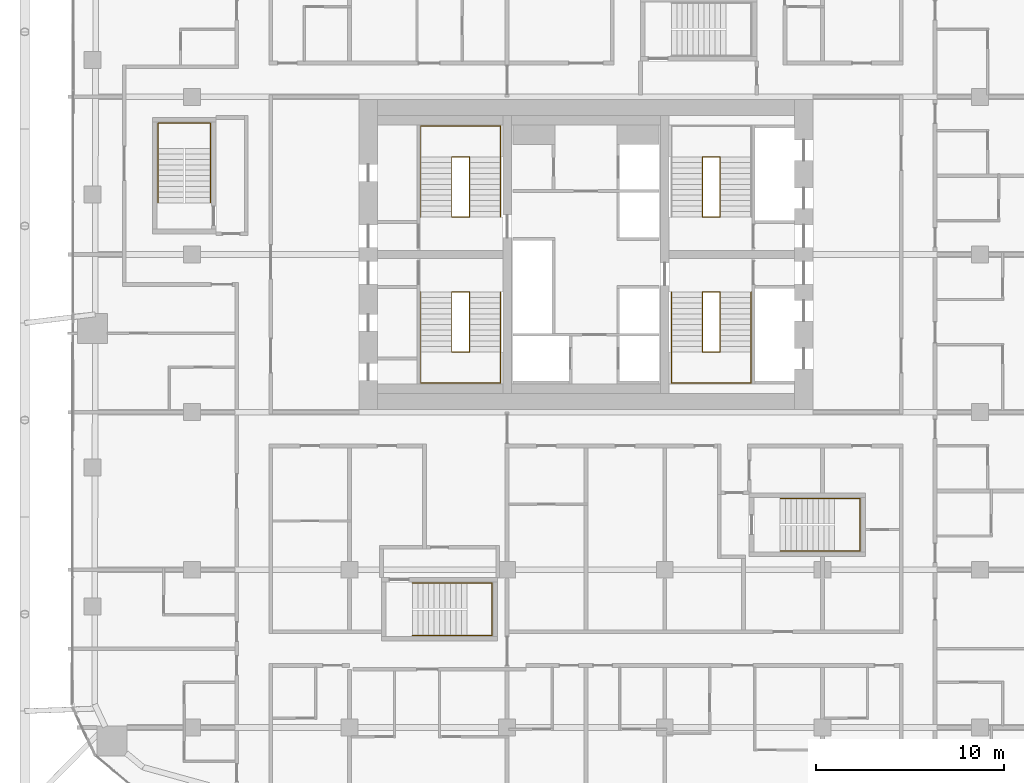
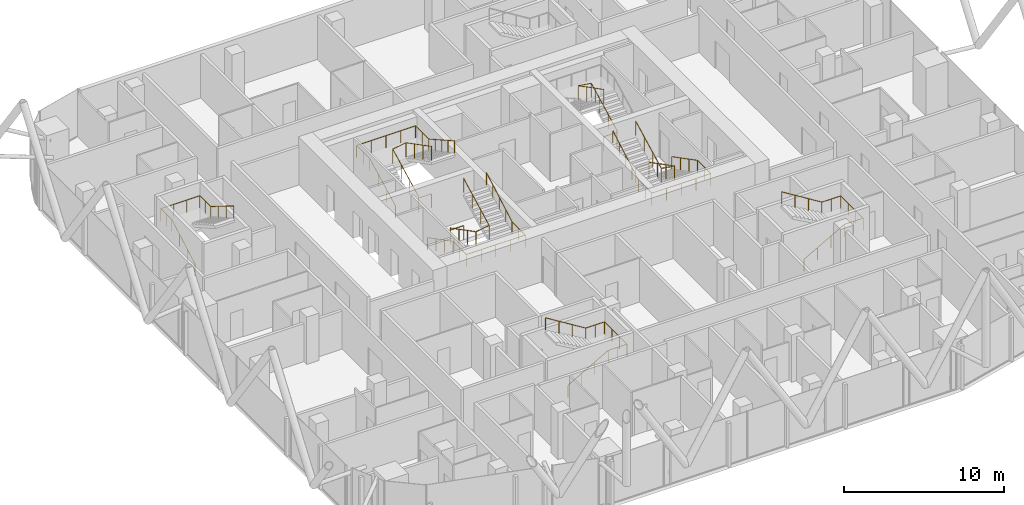
# One storey, part 35 of 36: 10 railings.
"""IFC4 building model written with IfcOpenShell, lengths in metres."""

import ifcopenshell
import ifcopenshell.guid

model = None  # the IFC model being written
_history = None  # IfcOwnerHistory: only IFC2X3 demands one
_inside = {}  # id of a spatial element -> (the spatial element, [elements in it])
_under = {}  # id of a project, library or spatial element -> (it, [spatial elements below it])
_declared = {}  # id of a project -> (the project, [libraries it declares])
_typed = {}  # id of a type object -> (the type object, [elements of that type])
_made_of = {}  # id of a material, layer set ... -> (it, [elements and type objects made of it])


def new_model(schema):
    """Start an empty IFC model of exactly this schema.

    Asked for "IFC4X3", IfcOpenShell would pick the latest addendum, in which some entities
    have other attributes; the version numbers below select the first issue.
    IFC2X3 requires an IfcOwnerHistory on every rooted entity: one is made here for all.
    """
    global model, _history
    if schema == "IFC4X3":
        model = ifcopenshell.file(schema_version=(4, 3, 0, 0))
    else:
        model = ifcopenshell.file(schema=schema)
    _inside.clear()
    _under.clear()
    _declared.clear()
    _typed.clear()
    _made_of.clear()
    _history = None
    if model.schema == "IFC2X3":
        org = make("IfcOrganization", Name="unknown")
        user = make(
            "IfcPersonAndOrganization",
            ThePerson=make("IfcPerson", FamilyName="unknown"),
            TheOrganization=org,
        )
        app = make(
            "IfcApplication",
            ApplicationDeveloper=org,
            Version="unknown",
            ApplicationFullName="unknown",
            ApplicationIdentifier="unknown",
        )
        _history = make(
            "IfcOwnerHistory",
            OwningUser=user,
            OwningApplication=app,
            ChangeAction="ADDED",
            CreationDate=0,
        )
    return model


def make(cls, **values):
    """One entity of the class cls with the attributes given. An attribute that is None is left unset."""
    return model.create_entity(
        cls, **{name: value for name, value in values.items() if value is not None}
    )


def rooted(cls, **values):
    """An entity with a GlobalId (a new one), such as an element, a storey or a relation."""
    return make(cls, GlobalId=ifcopenshell.guid.new(), OwnerHistory=_history, **values)


def si_unit(unit_type, name, prefix=None):
    """IfcSIUnit, for example si_unit("LENGTHUNIT", "METRE", prefix="MILLI")."""
    return make("IfcSIUnit", UnitType=unit_type, Prefix=prefix, Name=name)


def assignment(units):
    """IfcUnitAssignment: the units of a project."""
    return None if units is None else make("IfcUnitAssignment", Units=units)


def point(xyz):
    """IfcCartesianPoint."""
    return None if xyz is None else make("IfcCartesianPoint", Coordinates=xyz)


def direction(xyz):
    """IfcDirection."""
    return None if xyz is None else make("IfcDirection", DirectionRatios=xyz)


def frame(location, z_axis=None, x_axis=None):
    """IfcAxis2Placement3D, a coordinate frame: its origin and axes. An axis left out is left unset."""
    return make(
        "IfcAxis2Placement3D",
        Location=point(location),
        Axis=direction(z_axis),
        RefDirection=direction(x_axis),
    )


def frame_2d(location, x_axis=None):
    """IfcAxis2Placement2D, a coordinate frame in the plane: its origin and x axis."""
    return make(
        "IfcAxis2Placement2D", Location=point(location), RefDirection=direction(x_axis)
    )


def origin():
    """The frame at (0, 0, 0) with its axes left unset."""
    return frame((0.0, 0.0, 0.0))


def origin_2d():
    """The frame at (0, 0) in the plane with its x axis left unset."""
    return frame_2d((0.0, 0.0))


def place(relative_to, where):
    """IfcLocalPlacement: puts the frame where relative to a parent placement (None: the world)."""
    return make(
        "IfcLocalPlacement", PlacementRelTo=relative_to, RelativePlacement=where
    )


def context(
    kind, dimensions, precision=None, world=None, true_north=None, identifier=None
):
    """IfcGeometricRepresentationContext, for example the 3D "Model" context."""
    return make(
        "IfcGeometricRepresentationContext",
        ContextIdentifier=identifier,
        ContextType=kind,
        CoordinateSpaceDimension=dimensions,
        Precision=precision,
        WorldCoordinateSystem=world,
        TrueNorth=true_north,
    )


def subcontext(parent, identifier, kind, view, scale=None):
    """IfcGeometricRepresentationSubContext, for example "Body" below "Model"."""
    return make(
        "IfcGeometricRepresentationSubContext",
        ContextIdentifier=identifier,
        ContextType=kind,
        ParentContext=parent,
        TargetScale=scale,
        TargetView=view,
    )


def project(units=None, contexts=None):
    """IfcProject with its units and contexts."""
    return rooted(
        "IfcProject",
        Name="project",
        RepresentationContexts=contexts,
        UnitsInContext=assignment(units),
    )


def spatial(cls, under=None, at=None, **own):
    """A site, building, storey or space (cls), placed at a placement, below another one or the project."""
    s = rooted(cls, ObjectPlacement=at, **own)
    if under is not None:
        _under.setdefault(under.id(), (under, []))[1].append(s)
    return s


def profile(cls, at=None, kind="AREA", **sizes):
    """A parametric profile (cls). Its sizes go by their IFC names, for example OverallWidth=200.0."""
    return make(cls, ProfileType=kind, Position=at, **sizes)


def circle(**sizes):
    """IfcCircleProfileDef."""
    return profile("IfcCircleProfileDef", **sizes)


def extrude(swept, where, along, depth):
    """IfcExtrudedAreaSolid: the profile swept, set in the frame where, extruded along a direction by depth."""
    return make(
        "IfcExtrudedAreaSolid",
        SweptArea=swept,
        Position=where,
        ExtrudedDirection=direction(along),
        Depth=depth,
    )


def shape(context_of_items, identifier, shape_type, items):
    """IfcShapeRepresentation: the items that make up one representation, for example the "Body"."""
    return make(
        "IfcShapeRepresentation",
        ContextOfItems=context_of_items,
        RepresentationIdentifier=identifier,
        RepresentationType=shape_type,
        Items=items,
    )


def material(Name=None, Category=None):
    """IfcMaterial."""
    return make("IfcMaterial", Name=Name, Category=Category)


def made_of(thing, what):
    """Note that an element or type object is made of a material, layer set ...; save() writes the relation."""
    if what is not None:
        _made_of.setdefault(what.id(), (what, []))[1].append(thing)
    return thing


def type_object(cls, material=None, **own):
    """A type object (cls), such as IfcWallType, which elements share."""
    return made_of(rooted(cls, **own), material)


def element(
    cls,
    number,
    at=None,
    inside=None,
    cuts=None,
    type_object=None,
    material=None,
    context=None,
    identifier="Body",
    shape_type=None,
    held_by="IfcProductDefinitionShape",
    body=None,
    shapes=None,
    **own,
):
    """One element of the class cls, such as IfcWall. Its Tag is "e" and its number.

    at: its placement. inside: the storey or other place that contains it. cuts: it is an
    opening in that element (IfcRelVoidsElement). A single representation is given by context,
    identifier, shape_type and body (its items); several are given by shapes. held_by: the class
    of the entity that holds the representations. save() writes the other relations.
    """
    e = rooted(cls, Tag="e%d" % number, ObjectPlacement=at, **own)
    if body is not None:
        shapes = [shape(context, identifier, shape_type, body)]
    if shapes is not None:
        e.Representation = make(held_by, Representations=shapes)
    if inside is not None:
        _inside.setdefault(inside.id(), (inside, []))[1].append(e)
    if cuts is not None:
        rooted(
            "IfcRelVoidsElement", RelatingBuildingElement=cuts, RelatedOpeningElement=e
        )
    if type_object is not None:
        _typed.setdefault(type_object.id(), (type_object, []))[1].append(e)
    return made_of(e, material)


def aggregate(whole, parts):
    """IfcRelAggregates: a whole, such as a stair, and the parts it consists of."""
    return rooted("IfcRelAggregates", RelatingObject=whole, RelatedObjects=parts)


def save(model, path):
    """Write the relations noted so far, then the file.

    IfcRelAggregates (storeys below a building ...), IfcRelContainedInSpatialStructure (elements
    in a storey), IfcRelDefinesByType, IfcRelAssociatesMaterial and IfcRelDeclares: one each for
    every whole, place, type object, material and project.
    """
    for whole, parts in _under.values():
        aggregate(whole, parts)
    for where, things in _inside.values():
        rooted(
            "IfcRelContainedInSpatialStructure",
            RelatedElements=things,
            RelatingStructure=where,
        )
    for kind, things in _typed.values():
        rooted("IfcRelDefinesByType", RelatedObjects=things, RelatingType=kind)
    for what, things in _made_of.values():
        rooted("IfcRelAssociatesMaterial", RelatedObjects=things, RelatingMaterial=what)
    for by, libraries in _declared.values():
        rooted("IfcRelDeclares", RelatingContext=by, RelatedDefinitions=libraries)
    model.write(path)


model = new_model("IFC4")

# Units and contexts
model_context = context("Model", 3, precision=1e-05, world=origin(), true_north=direction((0.0, 1.0)))
body_context = subcontext(model_context, "Body", "Model", "MODEL_VIEW")
ifc_project = project(units=[si_unit("LENGTHUNIT", "METRE"), si_unit("AREAUNIT", "SQUARE_METRE"), si_unit("VOLUMEUNIT", "CUBIC_METRE"), si_unit("PLANEANGLEUNIT", "RADIAN"), si_unit("MASSUNIT", "GRAM", prefix="KILO")], contexts=[model_context])

# Site, building, storey
site_placement = place(None, origin())
site = spatial("IfcSite", under=ifc_project, at=site_placement, CompositionType="ELEMENT")
building_placement = place(site_placement, origin())
building = spatial("IfcBuilding", under=site, at=building_placement, Name="Marenta Gate Hotel Tower", CompositionType="ELEMENT")
storey_placement = place(building_placement, frame((0.0, 0.0, 130.10009765625)))
storey = spatial("IfcBuildingStorey", under=building, at=storey_placement, Name="L29", CompositionType="ELEMENT", Elevation=130.10009765625)

# Railings
ifc_material_1 = material(Name="Stainless steel", Category="steel")
railing_type_1 = type_object("IfcRailingType", Name="Core stair handrail 950", PredefinedType="HANDRAIL", material=ifc_material_1)
railing_1_placement = place(storey_placement, frame((-8.800048828125, 6.39990234375, 0.14990234375)))
element("IfcRailing", 1, at=railing_1_placement, inside=storey, type_object=railing_type_1, Name="HR-950 L29-KR-ST1-1", PredefinedType="HANDRAIL", context=body_context, shape_type="SweptSolid", body=[
    extrude(circle(Radius=0.02392578125, at=origin_2d()), frame((0.0, 0.0, 0.92578125), z_axis=(0.0, -0.888225295554, 0.459408123936), x_axis=(1.0, 0.0, 0.0)), (0.0, 0.0, 1.0), 3.59130859375),
    extrude(circle(Radius=0.02392578125, at=origin_2d()), frame((0.0, -3.18994140625, 2.57568359375), z_axis=(0.0, -1.0, 0.0), x_axis=(1.0, 0.0, 0.0)), (0.0, 0.0, 1.0), 1.659912109375),
    extrude(circle(Radius=0.02392578125, at=origin_2d()), frame((0.0, -4.849853515625, 2.57568359375), z_axis=(1.0, 0.0, 0.0), x_axis=(0.0, 1.0, 0.0)), (0.0, 0.0, 1.0), 4.25),
    extrude(circle(Radius=0.02392578125, at=origin_2d()), frame((4.25, -4.849853515625, 2.57568359375), z_axis=(0.0, 1.0, 0.0), x_axis=(-1.0, 0.0, 0.0)), (0.0, 0.0, 1.0), 1.659912109375),
    extrude(circle(Radius=0.02392578125, at=origin_2d()), frame((4.25, -3.18994140625, 2.57568359375), z_axis=(0.0, 0.87090897868, 0.491444351738), x_axis=(-1.0, 0.0, 0.0)), (0.0, 0.0, 1.0), 3.662841796875),
    extrude(circle(Radius=0.02099609375, at=origin_2d()), origin(), (0.0, 0.0, 1.0), 0.90185546875),
    extrude(circle(Radius=0.02099609375, at=origin_2d()), frame((0.0, -1.063232421875, 0.550048828125)), (0.0, 0.0, 1.0), 0.90185546875),
    extrude(circle(Radius=0.02099609375, at=origin_2d()), frame((0.0, -2.126708984375, 1.099853515625)), (0.0, 0.0, 1.0), 0.90185546875),
    extrude(circle(Radius=0.02099609375, at=origin_2d()), frame((0.0, -3.18994140625, 1.64990234375)), (0.0, 0.0, 1.0), 0.90185546875),
    extrude(circle(Radius=0.02099609375, at=origin_2d()), frame((0.0, -4.02001953125, 1.64990234375)), (0.0, 0.0, 1.0), 0.90185546875),
    extrude(circle(Radius=0.02099609375, at=origin_2d()), frame((0.0, -4.849853515625, 1.64990234375)), (0.0, 0.0, 1.0), 0.90185546875),
    extrude(circle(Radius=0.02099609375, at=origin_2d()), frame((1.0625, -4.849853515625, 1.64990234375)), (0.0, 0.0, 1.0), 0.90185546875),
    extrude(circle(Radius=0.02099609375, at=origin_2d()), frame((2.125, -4.849853515625, 1.64990234375)), (0.0, 0.0, 1.0), 0.90185546875),
    extrude(circle(Radius=0.02099609375, at=origin_2d()), frame((3.1875, -4.849853515625, 1.64990234375)), (0.0, 0.0, 1.0), 0.90185546875),
    extrude(circle(Radius=0.02099609375, at=origin_2d()), frame((4.25, -4.849853515625, 1.64990234375)), (0.0, 0.0, 1.0), 0.90185546875),
    extrude(circle(Radius=0.02099609375, at=origin_2d()), frame((4.25, -4.02001953125, 1.64990234375)), (0.0, 0.0, 1.0), 0.90185546875),
    extrude(circle(Radius=0.02099609375, at=origin_2d()), frame((4.25, -3.18994140625, 1.64990234375)), (0.0, 0.0, 1.0), 0.90185546875),
    extrude(circle(Radius=0.02099609375, at=origin_2d()), frame((4.25, -2.392578125, 2.099853515625)), (0.0, 0.0, 1.0), 0.90185546875),
    extrude(circle(Radius=0.02099609375, at=origin_2d()), frame((4.25, -1.594970703125, 2.5498046875)), (0.0, 0.0, 1.0), 0.90185546875),
    extrude(circle(Radius=0.02099609375, at=origin_2d()), frame((4.25, -0.79736328125, 3.0)), (0.0, 0.0, 1.0), 0.90185546875),
    extrude(circle(Radius=0.02099609375, at=origin_2d()), frame((4.25, 0.0, 3.449951171875)), (0.0, 0.0, 1.0), 0.90185546875),
])
railing_2_placement = place(storey_placement, frame((-8.800048828125, 10.39990234375, 0.14990234375)))
element("IfcRailing", 2, at=railing_2_placement, inside=storey, type_object=railing_type_1, Name="HR-950 L29-KR-ST2-1", PredefinedType="HANDRAIL", context=body_context, shape_type="SweptSolid", body=[
    extrude(circle(Radius=0.02392578125, at=origin_2d()), frame((0.0, 0.0, 0.92578125), z_axis=(0.0, 0.888239641807, 0.459380385653), x_axis=(-1.0, 0.0, 0.0)), (0.0, 0.0, 1.0), 3.591552734375),
    extrude(circle(Radius=0.02392578125, at=origin_2d()), frame((0.0, 3.190185546875, 2.57568359375), z_axis=(0.0, 1.0, 0.0), x_axis=(-1.0, 0.0, 0.0)), (0.0, 0.0, 1.0), 1.659912109375),
    extrude(circle(Radius=0.02392578125, at=origin_2d()), frame((0.0, 4.85009765625, 2.57568359375), z_axis=(1.0, 0.0, 0.0), x_axis=(0.0, 1.0, 0.0)), (0.0, 0.0, 1.0), 4.25),
    extrude(circle(Radius=0.02392578125, at=origin_2d()), frame((4.25, 4.85009765625, 2.57568359375), z_axis=(0.0, -1.0, 0.0), x_axis=(1.0, 0.0, 0.0)), (0.0, 0.0, 1.0), 1.659912109375),
    extrude(circle(Radius=0.02392578125, at=origin_2d()), frame((4.25, 3.190185546875, 2.57568359375), z_axis=(0.0, -0.870925075533, 0.491415824742), x_axis=(1.0, 0.0, 0.0)), (0.0, 0.0, 1.0), 3.6630859375),
    extrude(circle(Radius=0.02099609375, at=origin_2d()), origin(), (0.0, 0.0, 1.0), 0.90185546875),
    extrude(circle(Radius=0.02099609375, at=origin_2d()), frame((0.0, 1.0634765625, 0.550048828125)), (0.0, 0.0, 1.0), 0.90185546875),
    extrude(circle(Radius=0.02099609375, at=origin_2d()), frame((0.0, 2.126708984375, 1.099853515625)), (0.0, 0.0, 1.0), 0.90185546875),
    extrude(circle(Radius=0.02099609375, at=origin_2d()), frame((0.0, 3.190185546875, 1.64990234375)), (0.0, 0.0, 1.0), 0.90185546875),
    extrude(circle(Radius=0.02099609375, at=origin_2d()), frame((0.0, 4.02001953125, 1.64990234375)), (0.0, 0.0, 1.0), 0.90185546875),
    extrude(circle(Radius=0.02099609375, at=origin_2d()), frame((0.0, 4.85009765625, 1.64990234375)), (0.0, 0.0, 1.0), 0.90185546875),
    extrude(circle(Radius=0.02099609375, at=origin_2d()), frame((1.0625, 4.85009765625, 1.64990234375)), (0.0, 0.0, 1.0), 0.90185546875),
    extrude(circle(Radius=0.02099609375, at=origin_2d()), frame((2.125, 4.85009765625, 1.64990234375)), (0.0, 0.0, 1.0), 0.90185546875),
    extrude(circle(Radius=0.02099609375, at=origin_2d()), frame((3.1875, 4.85009765625, 1.64990234375)), (0.0, 0.0, 1.0), 0.90185546875),
    extrude(circle(Radius=0.02099609375, at=origin_2d()), frame((4.25, 4.85009765625, 1.64990234375)), (0.0, 0.0, 1.0), 0.90185546875),
    extrude(circle(Radius=0.02099609375, at=origin_2d()), frame((4.25, 4.02001953125, 1.64990234375)), (0.0, 0.0, 1.0), 0.90185546875),
    extrude(circle(Radius=0.02099609375, at=origin_2d()), frame((4.25, 3.190185546875, 1.64990234375)), (0.0, 0.0, 1.0), 0.90185546875),
    extrude(circle(Radius=0.02099609375, at=origin_2d()), frame((4.25, 2.392578125, 2.099853515625)), (0.0, 0.0, 1.0), 0.90185546875),
    extrude(circle(Radius=0.02099609375, at=origin_2d()), frame((4.25, 1.59521484375, 2.5498046875)), (0.0, 0.0, 1.0), 0.90185546875),
    extrude(circle(Radius=0.02099609375, at=origin_2d()), frame((4.25, 0.797607421875, 3.0)), (0.0, 0.0, 1.0), 0.90185546875),
    extrude(circle(Radius=0.02099609375, at=origin_2d()), frame((4.25, 0.0, 3.449951171875)), (0.0, 0.0, 1.0), 0.90185546875),
])
railing_3_placement = place(storey_placement, frame((8.800048828125, 6.39990234375, 0.14990234375)))
element("IfcRailing", 3, at=railing_3_placement, inside=storey, type_object=railing_type_1, Name="HR-950 L29-KR-ST3-1", PredefinedType="HANDRAIL", context=body_context, shape_type="SweptSolid", body=[
    extrude(circle(Radius=0.02392578125, at=origin_2d()), frame((0.0, 0.0, 0.92578125), z_axis=(0.0, -0.888225295554, 0.459408123936), x_axis=(1.0, 0.0, 0.0)), (0.0, 0.0, 1.0), 3.59130859375),
    extrude(circle(Radius=0.02392578125, at=origin_2d()), frame((0.0, -3.18994140625, 2.57568359375), z_axis=(0.0, -1.0, 0.0), x_axis=(1.0, 0.0, 0.0)), (0.0, 0.0, 1.0), 1.659912109375),
    extrude(circle(Radius=0.02392578125, at=origin_2d()), frame((0.0, -4.849853515625, 2.57568359375), z_axis=(-1.0, 0.0, 0.0), x_axis=(0.0, -1.0, 0.0)), (0.0, 0.0, 1.0), 4.25),
    extrude(circle(Radius=0.02392578125, at=origin_2d()), frame((-4.25, -4.849853515625, 2.57568359375), z_axis=(0.0, 1.0, 0.0), x_axis=(-1.0, 0.0, 0.0)), (0.0, 0.0, 1.0), 1.659912109375),
    extrude(circle(Radius=0.02392578125, at=origin_2d()), frame((-4.25, -3.18994140625, 2.57568359375), z_axis=(0.0, 0.87090897868, 0.491444351738), x_axis=(-1.0, 0.0, 0.0)), (0.0, 0.0, 1.0), 3.662841796875),
    extrude(circle(Radius=0.02099609375, at=origin_2d()), origin(), (0.0, 0.0, 1.0), 0.90185546875),
    extrude(circle(Radius=0.02099609375, at=origin_2d()), frame((0.0, -1.063232421875, 0.550048828125)), (0.0, 0.0, 1.0), 0.90185546875),
    extrude(circle(Radius=0.02099609375, at=origin_2d()), frame((0.0, -2.126708984375, 1.099853515625)), (0.0, 0.0, 1.0), 0.90185546875),
    extrude(circle(Radius=0.02099609375, at=origin_2d()), frame((0.0, -3.18994140625, 1.64990234375)), (0.0, 0.0, 1.0), 0.90185546875),
    extrude(circle(Radius=0.02099609375, at=origin_2d()), frame((0.0, -4.02001953125, 1.64990234375)), (0.0, 0.0, 1.0), 0.90185546875),
    extrude(circle(Radius=0.02099609375, at=origin_2d()), frame((0.0, -4.849853515625, 1.64990234375)), (0.0, 0.0, 1.0), 0.90185546875),
    extrude(circle(Radius=0.02099609375, at=origin_2d()), frame((-1.0625, -4.849853515625, 1.64990234375)), (0.0, 0.0, 1.0), 0.90185546875),
    extrude(circle(Radius=0.02099609375, at=origin_2d()), frame((-2.125, -4.849853515625, 1.64990234375)), (0.0, 0.0, 1.0), 0.90185546875),
    extrude(circle(Radius=0.02099609375, at=origin_2d()), frame((-3.1875, -4.849853515625, 1.64990234375)), (0.0, 0.0, 1.0), 0.90185546875),
    extrude(circle(Radius=0.02099609375, at=origin_2d()), frame((-4.25, -4.849853515625, 1.64990234375)), (0.0, 0.0, 1.0), 0.90185546875),
    extrude(circle(Radius=0.02099609375, at=origin_2d()), frame((-4.25, -4.02001953125, 1.64990234375)), (0.0, 0.0, 1.0), 0.90185546875),
    extrude(circle(Radius=0.02099609375, at=origin_2d()), frame((-4.25, -3.18994140625, 1.64990234375)), (0.0, 0.0, 1.0), 0.90185546875),
    extrude(circle(Radius=0.02099609375, at=origin_2d()), frame((-4.25, -2.392578125, 2.099853515625)), (0.0, 0.0, 1.0), 0.90185546875),
    extrude(circle(Radius=0.02099609375, at=origin_2d()), frame((-4.25, -1.594970703125, 2.5498046875)), (0.0, 0.0, 1.0), 0.90185546875),
    extrude(circle(Radius=0.02099609375, at=origin_2d()), frame((-4.25, -0.79736328125, 3.0)), (0.0, 0.0, 1.0), 0.90185546875),
    extrude(circle(Radius=0.02099609375, at=origin_2d()), frame((-4.25, 0.0, 3.449951171875)), (0.0, 0.0, 1.0), 0.90185546875),
])
railing_4_placement = place(storey_placement, frame((-22.800048828125, 11.14990234375, 0.16357421875)))
element("IfcRailing", 4, at=railing_4_placement, inside=storey, type_object=railing_type_1, Name="HR-950 L29-RS-Z1-3-KR-1", PredefinedType="HANDRAIL", context=body_context, shape_type="SweptSolid", body=[
    extrude(circle(Radius=0.02392578125, at=origin_2d()), frame((0.0, 0.0, 0.92578125), z_axis=(0.0, 0.870946286338, 0.49137823142), x_axis=(-1.0, 0.0, 0.0)), (0.0, 0.0, 1.0), 3.329833984375),
    extrude(circle(Radius=0.02392578125, at=origin_2d()), frame((0.0, 2.900146484375, 2.56201171875), z_axis=(0.0, 1.0, 0.0), x_axis=(-1.0, 0.0, 0.0)), (0.0, 0.0, 1.0), 1.349853515625),
    extrude(circle(Radius=0.02392578125, at=origin_2d()), frame((0.0, 4.25, 2.56201171875), z_axis=(1.0, 0.0, 0.0), x_axis=(0.0, 1.0, 0.0)), (0.0, 0.0, 1.0), 2.800048828125),
    extrude(circle(Radius=0.02392578125, at=origin_2d()), frame((2.800048828125, 4.25, 2.56201171875), z_axis=(0.0, -1.0, 0.0), x_axis=(1.0, 0.0, 0.0)), (0.0, 0.0, 1.0), 1.349853515625),
    extrude(circle(Radius=0.02392578125, at=origin_2d()), frame((2.800048828125, 2.900146484375, 2.56201171875), z_axis=(0.0, -0.849645691689, 0.527353959494), x_axis=(1.0, 0.0, 0.0)), (0.0, 0.0, 1.0), 3.413330078125),
    extrude(circle(Radius=0.02099609375, at=origin_2d()), origin(), (0.0, 0.0, 1.0), 0.90185546875),
    extrude(circle(Radius=0.02099609375, at=origin_2d()), frame((0.0, 0.966796875, 0.54541015625)), (0.0, 0.0, 1.0), 0.90185546875),
    extrude(circle(Radius=0.02099609375, at=origin_2d()), frame((0.0, 1.933349609375, 1.0908203125)), (0.0, 0.0, 1.0), 0.90185546875),
    extrude(circle(Radius=0.02099609375, at=origin_2d()), frame((0.0, 2.900146484375, 1.63623046875)), (0.0, 0.0, 1.0), 0.90185546875),
    extrude(circle(Radius=0.02099609375, at=origin_2d()), frame((0.0, 3.5751953125, 1.63623046875)), (0.0, 0.0, 1.0), 0.90185546875),
    extrude(circle(Radius=0.02099609375, at=origin_2d()), frame((0.0, 4.25, 1.63623046875)), (0.0, 0.0, 1.0), 0.90185546875),
    extrude(circle(Radius=0.02099609375, at=origin_2d()), frame((0.933349609375, 4.25, 1.63623046875)), (0.0, 0.0, 1.0), 0.90185546875),
    extrude(circle(Radius=0.02099609375, at=origin_2d()), frame((1.86669921875, 4.25, 1.63623046875)), (0.0, 0.0, 1.0), 0.90185546875),
    extrude(circle(Radius=0.02099609375, at=origin_2d()), frame((2.800048828125, 4.25, 1.63623046875)), (0.0, 0.0, 1.0), 0.90185546875),
    extrude(circle(Radius=0.02099609375, at=origin_2d()), frame((2.800048828125, 3.5751953125, 1.63623046875)), (0.0, 0.0, 1.0), 0.90185546875),
    extrude(circle(Radius=0.02099609375, at=origin_2d()), frame((2.800048828125, 2.900146484375, 1.63623046875)), (0.0, 0.0, 1.0), 0.90185546875),
    extrude(circle(Radius=0.02099609375, at=origin_2d()), frame((2.800048828125, 1.933349609375, 2.236328125)), (0.0, 0.0, 1.0), 0.90185546875),
    extrude(circle(Radius=0.02099609375, at=origin_2d()), frame((2.800048828125, 0.966796875, 2.836181640625)), (0.0, 0.0, 1.0), 0.90185546875),
    extrude(circle(Radius=0.02099609375, at=origin_2d()), frame((2.800048828125, 0.0, 3.436279296875)), (0.0, 0.0, 1.0), 0.90185546875),
])
railing_5_placement = place(storey_placement, frame((-9.25, -11.89990234375, 0.16357421875)))
element("IfcRailing", 5, at=railing_5_placement, inside=storey, type_object=railing_type_1, Name="HR-950 L29-RS-Z2-1-KR-1", PredefinedType="HANDRAIL", context=body_context, shape_type="SweptSolid", body=[
    extrude(circle(Radius=0.02392578125, at=origin_2d()), frame((0.0, 0.0, 0.92578125), z_axis=(0.870928581787, 0.0, 0.491409610636), x_axis=(0.0, 1.0, 0.0)), (0.0, 0.0, 1.0), 3.32958984375),
    extrude(circle(Radius=0.02392578125, at=origin_2d()), frame((2.89990234375, 0.0, 2.56201171875), z_axis=(1.0, 0.0, 0.0), x_axis=(0.0, 1.0, 0.0)), (0.0, 0.0, 1.0), 1.35009765625),
    extrude(circle(Radius=0.02392578125, at=origin_2d()), frame((4.25, 0.0, 2.56201171875), z_axis=(0.0, 1.0, 0.0), x_axis=(-1.0, 0.0, 0.0)), (0.0, 0.0, 1.0), 2.7998046875),
    extrude(circle(Radius=0.02392578125, at=origin_2d()), frame((4.25, 2.7998046875, 2.56201171875), z_axis=(-1.0, 0.0, 0.0), x_axis=(0.0, -1.0, 0.0)), (0.0, 0.0, 1.0), 1.35009765625),
    extrude(circle(Radius=0.02392578125, at=origin_2d()), frame((2.89990234375, 2.7998046875, 2.56201171875), z_axis=(-0.849625798611, 0.0, 0.527386008853), x_axis=(0.0, -1.0, 0.0)), (0.0, 0.0, 1.0), 3.4130859375),
    extrude(circle(Radius=0.02099609375, at=origin_2d()), origin(), (0.0, 0.0, 1.0), 0.90185546875),
    extrude(circle(Radius=0.02099609375, at=origin_2d()), frame((0.966552734375, 0.0, 0.54541015625)), (0.0, 0.0, 1.0), 0.90185546875),
    extrude(circle(Radius=0.02099609375, at=origin_2d()), frame((1.933349609375, 0.0, 1.0908203125)), (0.0, 0.0, 1.0), 0.90185546875),
    extrude(circle(Radius=0.02099609375, at=origin_2d()), frame((2.89990234375, 0.0, 1.63623046875)), (0.0, 0.0, 1.0), 0.90185546875),
    extrude(circle(Radius=0.02099609375, at=origin_2d()), frame((3.574951171875, 0.0, 1.63623046875)), (0.0, 0.0, 1.0), 0.90185546875),
    extrude(circle(Radius=0.02099609375, at=origin_2d()), frame((4.25, 0.0, 1.63623046875)), (0.0, 0.0, 1.0), 0.90185546875),
    extrude(circle(Radius=0.02099609375, at=origin_2d()), frame((4.25, 0.933349609375, 1.63623046875)), (0.0, 0.0, 1.0), 0.90185546875),
    extrude(circle(Radius=0.02099609375, at=origin_2d()), frame((4.25, 1.866455078125, 1.63623046875)), (0.0, 0.0, 1.0), 0.90185546875),
    extrude(circle(Radius=0.02099609375, at=origin_2d()), frame((4.25, 2.7998046875, 1.63623046875)), (0.0, 0.0, 1.0), 0.90185546875),
    extrude(circle(Radius=0.02099609375, at=origin_2d()), frame((3.574951171875, 2.7998046875, 1.63623046875)), (0.0, 0.0, 1.0), 0.90185546875),
    extrude(circle(Radius=0.02099609375, at=origin_2d()), frame((2.89990234375, 2.7998046875, 1.63623046875)), (0.0, 0.0, 1.0), 0.90185546875),
    extrude(circle(Radius=0.02099609375, at=origin_2d()), frame((1.933349609375, 2.7998046875, 2.236328125)), (0.0, 0.0, 1.0), 0.90185546875),
    extrude(circle(Radius=0.02099609375, at=origin_2d()), frame((0.966552734375, 2.7998046875, 2.836181640625)), (0.0, 0.0, 1.0), 0.90185546875),
    extrude(circle(Radius=0.02099609375, at=origin_2d()), frame((0.0, 2.7998046875, 3.436279296875)), (0.0, 0.0, 1.0), 0.90185546875),
])
railing_6_placement = place(storey_placement, frame((10.35009765625, -7.39990234375, 0.16357421875)))
element("IfcRailing", 6, at=railing_6_placement, inside=storey, type_object=railing_type_1, Name="HR-950 L29-RS-Z2-2-KR-1", PredefinedType="HANDRAIL", context=body_context, shape_type="SweptSolid", body=[
    extrude(circle(Radius=0.02392578125, at=origin_2d()), frame((0.0, 0.0, 0.92578125), z_axis=(0.870928581787, 0.0, 0.491409610636), x_axis=(0.0, 1.0, 0.0)), (0.0, 0.0, 1.0), 3.32958984375),
    extrude(circle(Radius=0.02392578125, at=origin_2d()), frame((2.89990234375, 0.0, 2.56201171875), z_axis=(1.0, 0.0, 0.0), x_axis=(0.0, 1.0, 0.0)), (0.0, 0.0, 1.0), 1.35009765625),
    extrude(circle(Radius=0.02392578125, at=origin_2d()), frame((4.25, 0.0, 2.56201171875), z_axis=(0.0, 1.0, 0.0), x_axis=(-1.0, 0.0, 0.0)), (0.0, 0.0, 1.0), 2.7998046875),
    extrude(circle(Radius=0.02392578125, at=origin_2d()), frame((4.25, 2.7998046875, 2.56201171875), z_axis=(-1.0, 0.0, 0.0), x_axis=(0.0, -1.0, 0.0)), (0.0, 0.0, 1.0), 1.35009765625),
    extrude(circle(Radius=0.02392578125, at=origin_2d()), frame((2.89990234375, 2.7998046875, 2.56201171875), z_axis=(-0.849625798611, 0.0, 0.527386008853), x_axis=(0.0, -1.0, 0.0)), (0.0, 0.0, 1.0), 3.4130859375),
    extrude(circle(Radius=0.02099609375, at=origin_2d()), origin(), (0.0, 0.0, 1.0), 0.90185546875),
    extrude(circle(Radius=0.02099609375, at=origin_2d()), frame((0.966552734375, 0.0, 0.54541015625)), (0.0, 0.0, 1.0), 0.90185546875),
    extrude(circle(Radius=0.02099609375, at=origin_2d()), frame((1.933349609375, 0.0, 1.0908203125)), (0.0, 0.0, 1.0), 0.90185546875),
    extrude(circle(Radius=0.02099609375, at=origin_2d()), frame((2.89990234375, 0.0, 1.63623046875)), (0.0, 0.0, 1.0), 0.90185546875),
    extrude(circle(Radius=0.02099609375, at=origin_2d()), frame((3.574951171875, 0.0, 1.63623046875)), (0.0, 0.0, 1.0), 0.90185546875),
    extrude(circle(Radius=0.02099609375, at=origin_2d()), frame((4.25, 0.0, 1.63623046875)), (0.0, 0.0, 1.0), 0.90185546875),
    extrude(circle(Radius=0.02099609375, at=origin_2d()), frame((4.25, 0.933349609375, 1.63623046875)), (0.0, 0.0, 1.0), 0.90185546875),
    extrude(circle(Radius=0.02099609375, at=origin_2d()), frame((4.25, 1.866455078125, 1.63623046875)), (0.0, 0.0, 1.0), 0.90185546875),
    extrude(circle(Radius=0.02099609375, at=origin_2d()), frame((4.25, 2.7998046875, 1.63623046875)), (0.0, 0.0, 1.0), 0.90185546875),
    extrude(circle(Radius=0.02099609375, at=origin_2d()), frame((3.574951171875, 2.7998046875, 1.63623046875)), (0.0, 0.0, 1.0), 0.90185546875),
    extrude(circle(Radius=0.02099609375, at=origin_2d()), frame((2.89990234375, 2.7998046875, 1.63623046875)), (0.0, 0.0, 1.0), 0.90185546875),
    extrude(circle(Radius=0.02099609375, at=origin_2d()), frame((1.933349609375, 2.7998046875, 2.236328125)), (0.0, 0.0, 1.0), 0.90185546875),
    extrude(circle(Radius=0.02099609375, at=origin_2d()), frame((0.966552734375, 2.7998046875, 2.836181640625)), (0.0, 0.0, 1.0), 0.90185546875),
    extrude(circle(Radius=0.02099609375, at=origin_2d()), frame((0.0, 2.7998046875, 3.436279296875)), (0.0, 0.0, 1.0), 0.90185546875),
])
ifc_material_2 = material(Name="Stainless steel", Category="steel")
railing_type_2 = type_object("IfcRailingType", Name="Core stair well guard 1100", PredefinedType="GUARDRAIL", material=ifc_material_2)
railing_7_placement = place(storey_placement, frame((-6.199951171875, 6.39990234375, 0.0)))
element("IfcRailing", 7, at=railing_7_placement, inside=storey, type_object=railing_type_2, Name="GR-1100 L29-KR-ST1-2", PredefinedType="GUARDRAIL", context=body_context, shape_type="SweptSolid", body=[
    extrude(circle(Radius=0.02392578125, at=origin_2d()), frame((0.0, 0.0, 1.076171875), z_axis=(-1.0, 0.0, 0.0), x_axis=(0.0, -1.0, 0.0)), (0.0, 0.0, 1.0), 0.949951171875),
    extrude(circle(Radius=0.02392578125, at=origin_2d()), frame((-0.949951171875, 0.0, 1.076171875), z_axis=(0.0, 0.0, 1.0), x_axis=(1.0, 0.0, 0.0)), (0.0, 0.0, 1.0), 0.14990234375),
    extrude(circle(Radius=0.02392578125, at=origin_2d()), frame((-0.949951171875, 0.0, 1.22607421875), z_axis=(0.0, -0.888225295554, 0.459408123936), x_axis=(1.0, 0.0, 0.0)), (0.0, 0.0, 1.0), 3.59130859375),
    extrude(circle(Radius=0.02392578125, at=origin_2d()), frame((-0.949951171875, -3.18994140625, 2.8759765625), z_axis=(0.987738253826, 0.0, 0.156118999255), x_axis=(0.0, 1.0, 0.0)), (0.0, 0.0, 1.0), 0.961669921875),
    extrude(circle(Radius=0.02392578125, at=origin_2d()), frame((0.0, -3.18994140625, 3.02587890625), z_axis=(0.0, 0.888225295554, 0.459408123936), x_axis=(-1.0, 0.0, 0.0)), (0.0, 0.0, 1.0), 3.59130859375),
    extrude(circle(Radius=0.02099609375, at=origin_2d()), origin(), (0.0, 0.0, 1.0), 1.052001953125),
    extrude(circle(Radius=0.02099609375, at=origin_2d()), frame((-0.949951171875, 0.0, 0.0)), (0.0, 0.0, 1.0), 1.052001953125),
    extrude(circle(Radius=0.02099609375, at=origin_2d()), frame((-0.949951171875, 0.0, 0.14990234375)), (0.0, 0.0, 1.0), 1.052001953125),
    extrude(circle(Radius=0.02099609375, at=origin_2d()), frame((-0.949951171875, -1.063232421875, 0.699951171875)), (0.0, 0.0, 1.0), 1.052001953125),
    extrude(circle(Radius=0.02099609375, at=origin_2d()), frame((-0.949951171875, -2.126708984375, 1.249755859375)), (0.0, 0.0, 1.0), 1.052001953125),
    extrude(circle(Radius=0.02099609375, at=origin_2d()), frame((-0.949951171875, -3.18994140625, 1.7998046875)), (0.0, 0.0, 1.0), 1.052001953125),
    extrude(circle(Radius=0.02099609375, at=origin_2d()), frame((0.0, -3.18994140625, 1.949951171875)), (0.0, 0.0, 1.0), 1.052001953125),
    extrude(circle(Radius=0.02099609375, at=origin_2d()), frame((0.0, -2.126708984375, 2.5)), (0.0, 0.0, 1.0), 1.052001953125),
    extrude(circle(Radius=0.02099609375, at=origin_2d()), frame((0.0, -1.063232421875, 3.0498046875)), (0.0, 0.0, 1.0), 1.052001953125),
    extrude(circle(Radius=0.02099609375, at=origin_2d()), frame((0.0, 0.0, 3.599853515625)), (0.0, 0.0, 1.0), 1.052001953125),
])
railing_8_placement = place(storey_placement, frame((-6.199951171875, 10.39990234375, 0.0)))
element("IfcRailing", 8, at=railing_8_placement, inside=storey, type_object=railing_type_2, Name="GR-1100 L29-KR-ST2-2", PredefinedType="GUARDRAIL", context=body_context, shape_type="SweptSolid", body=[
    extrude(circle(Radius=0.02392578125, at=origin_2d()), frame((0.0, 0.0, 1.076171875), z_axis=(-1.0, 0.0, 0.0), x_axis=(0.0, -1.0, 0.0)), (0.0, 0.0, 1.0), 0.949951171875),
    extrude(circle(Radius=0.02392578125, at=origin_2d()), frame((-0.949951171875, 0.0, 1.076171875), z_axis=(0.0, 0.0, 1.0), x_axis=(1.0, 0.0, 0.0)), (0.0, 0.0, 1.0), 0.14990234375),
    extrude(circle(Radius=0.02392578125, at=origin_2d()), frame((-0.949951171875, 0.0, 1.22607421875), z_axis=(0.0, 0.888239641807, 0.459380385653), x_axis=(-1.0, 0.0, 0.0)), (0.0, 0.0, 1.0), 3.591552734375),
    extrude(circle(Radius=0.02392578125, at=origin_2d()), frame((-0.949951171875, 3.190185546875, 2.8759765625), z_axis=(0.987738253826, 0.0, 0.156118999255), x_axis=(0.0, 1.0, 0.0)), (0.0, 0.0, 1.0), 0.961669921875),
    extrude(circle(Radius=0.02392578125, at=origin_2d()), frame((0.0, 3.190185546875, 3.02587890625), z_axis=(0.0, -0.888239641807, 0.459380385653), x_axis=(1.0, 0.0, 0.0)), (0.0, 0.0, 1.0), 3.591552734375),
    extrude(circle(Radius=0.02099609375, at=origin_2d()), origin(), (0.0, 0.0, 1.0), 1.052001953125),
    extrude(circle(Radius=0.02099609375, at=origin_2d()), frame((-0.949951171875, 0.0, 0.0)), (0.0, 0.0, 1.0), 1.052001953125),
    extrude(circle(Radius=0.02099609375, at=origin_2d()), frame((-0.949951171875, 0.0, 0.14990234375)), (0.0, 0.0, 1.0), 1.052001953125),
    extrude(circle(Radius=0.02099609375, at=origin_2d()), frame((-0.949951171875, 1.0634765625, 0.699951171875)), (0.0, 0.0, 1.0), 1.052001953125),
    extrude(circle(Radius=0.02099609375, at=origin_2d()), frame((-0.949951171875, 2.126708984375, 1.249755859375)), (0.0, 0.0, 1.0), 1.052001953125),
    extrude(circle(Radius=0.02099609375, at=origin_2d()), frame((-0.949951171875, 3.190185546875, 1.7998046875)), (0.0, 0.0, 1.0), 1.052001953125),
    extrude(circle(Radius=0.02099609375, at=origin_2d()), frame((0.0, 3.190185546875, 1.949951171875)), (0.0, 0.0, 1.0), 1.052001953125),
    extrude(circle(Radius=0.02099609375, at=origin_2d()), frame((0.0, 2.126708984375, 2.5)), (0.0, 0.0, 1.0), 1.052001953125),
    extrude(circle(Radius=0.02099609375, at=origin_2d()), frame((0.0, 1.0634765625, 3.0498046875)), (0.0, 0.0, 1.0), 1.052001953125),
    extrude(circle(Radius=0.02099609375, at=origin_2d()), frame((0.0, 0.0, 3.599853515625)), (0.0, 0.0, 1.0), 1.052001953125),
])
railing_9_placement = place(storey_placement, frame((6.199951171875, 6.39990234375, 0.0)))
element("IfcRailing", 9, at=railing_9_placement, inside=storey, type_object=railing_type_2, Name="GR-1100 L29-KR-ST3-2", PredefinedType="GUARDRAIL", context=body_context, shape_type="SweptSolid", body=[
    extrude(circle(Radius=0.02392578125, at=origin_2d()), frame((0.0, 0.0, 1.076171875), z_axis=(1.0, 0.0, 0.0), x_axis=(0.0, 1.0, 0.0)), (0.0, 0.0, 1.0), 0.949951171875),
    extrude(circle(Radius=0.02392578125, at=origin_2d()), frame((0.949951171875, 0.0, 1.076171875), z_axis=(0.0, 0.0, 1.0), x_axis=(1.0, 0.0, 0.0)), (0.0, 0.0, 1.0), 0.14990234375),
    extrude(circle(Radius=0.02392578125, at=origin_2d()), frame((0.949951171875, 0.0, 1.22607421875), z_axis=(0.0, -0.888225295554, 0.459408123936), x_axis=(1.0, 0.0, 0.0)), (0.0, 0.0, 1.0), 3.59130859375),
    extrude(circle(Radius=0.02392578125, at=origin_2d()), frame((0.949951171875, -3.18994140625, 2.8759765625), z_axis=(-0.987738253826, 0.0, 0.156118999255), x_axis=(0.0, -1.0, 0.0)), (0.0, 0.0, 1.0), 0.961669921875),
    extrude(circle(Radius=0.02392578125, at=origin_2d()), frame((0.0, -3.18994140625, 3.02587890625), z_axis=(0.0, 0.888225295554, 0.459408123936), x_axis=(-1.0, 0.0, 0.0)), (0.0, 0.0, 1.0), 3.59130859375),
    extrude(circle(Radius=0.02099609375, at=origin_2d()), origin(), (0.0, 0.0, 1.0), 1.052001953125),
    extrude(circle(Radius=0.02099609375, at=origin_2d()), frame((0.949951171875, 0.0, 0.0)), (0.0, 0.0, 1.0), 1.052001953125),
    extrude(circle(Radius=0.02099609375, at=origin_2d()), frame((0.949951171875, 0.0, 0.14990234375)), (0.0, 0.0, 1.0), 1.052001953125),
    extrude(circle(Radius=0.02099609375, at=origin_2d()), frame((0.949951171875, -1.063232421875, 0.699951171875)), (0.0, 0.0, 1.0), 1.052001953125),
    extrude(circle(Radius=0.02099609375, at=origin_2d()), frame((0.949951171875, -2.126708984375, 1.249755859375)), (0.0, 0.0, 1.0), 1.052001953125),
    extrude(circle(Radius=0.02099609375, at=origin_2d()), frame((0.949951171875, -3.18994140625, 1.7998046875)), (0.0, 0.0, 1.0), 1.052001953125),
    extrude(circle(Radius=0.02099609375, at=origin_2d()), frame((0.0, -3.18994140625, 1.949951171875)), (0.0, 0.0, 1.0), 1.052001953125),
    extrude(circle(Radius=0.02099609375, at=origin_2d()), frame((0.0, -2.126708984375, 2.5)), (0.0, 0.0, 1.0), 1.052001953125),
    extrude(circle(Radius=0.02099609375, at=origin_2d()), frame((0.0, -1.063232421875, 3.0498046875)), (0.0, 0.0, 1.0), 1.052001953125),
    extrude(circle(Radius=0.02099609375, at=origin_2d()), frame((0.0, 0.0, 3.599853515625)), (0.0, 0.0, 1.0), 1.052001953125),
])
railing_10_placement = place(storey_placement, frame((6.199951171875, 10.39990234375, 0.0)))
element("IfcRailing", 10, at=railing_10_placement, inside=storey, type_object=railing_type_2, Name="GR-1100 L29-KR-ST4-2", PredefinedType="GUARDRAIL", context=body_context, shape_type="SweptSolid", body=[
    extrude(circle(Radius=0.02392578125, at=origin_2d()), frame((0.0, 0.0, 1.076171875), z_axis=(1.0, 0.0, 0.0), x_axis=(0.0, 1.0, 0.0)), (0.0, 0.0, 1.0), 0.949951171875),
    extrude(circle(Radius=0.02392578125, at=origin_2d()), frame((0.949951171875, 0.0, 1.076171875), z_axis=(0.0, 0.0, 1.0), x_axis=(1.0, 0.0, 0.0)), (0.0, 0.0, 1.0), 0.14990234375),
    extrude(circle(Radius=0.02392578125, at=origin_2d()), frame((0.949951171875, 0.0, 1.22607421875), z_axis=(0.0, 0.888239641807, 0.459380385653), x_axis=(-1.0, 0.0, 0.0)), (0.0, 0.0, 1.0), 3.591552734375),
    extrude(circle(Radius=0.02392578125, at=origin_2d()), frame((0.949951171875, 3.190185546875, 2.8759765625), z_axis=(-0.987738253826, 0.0, 0.156118999255), x_axis=(0.0, -1.0, 0.0)), (0.0, 0.0, 1.0), 0.961669921875),
    extrude(circle(Radius=0.02392578125, at=origin_2d()), frame((0.0, 3.190185546875, 3.02587890625), z_axis=(0.0, -0.888239641807, 0.459380385653), x_axis=(1.0, 0.0, 0.0)), (0.0, 0.0, 1.0), 3.591552734375),
    extrude(circle(Radius=0.02099609375, at=origin_2d()), origin(), (0.0, 0.0, 1.0), 1.052001953125),
    extrude(circle(Radius=0.02099609375, at=origin_2d()), frame((0.949951171875, 0.0, 0.0)), (0.0, 0.0, 1.0), 1.052001953125),
    extrude(circle(Radius=0.02099609375, at=origin_2d()), frame((0.949951171875, 0.0, 0.14990234375)), (0.0, 0.0, 1.0), 1.052001953125),
    extrude(circle(Radius=0.02099609375, at=origin_2d()), frame((0.949951171875, 1.0634765625, 0.699951171875)), (0.0, 0.0, 1.0), 1.052001953125),
    extrude(circle(Radius=0.02099609375, at=origin_2d()), frame((0.949951171875, 2.126708984375, 1.249755859375)), (0.0, 0.0, 1.0), 1.052001953125),
    extrude(circle(Radius=0.02099609375, at=origin_2d()), frame((0.949951171875, 3.190185546875, 1.7998046875)), (0.0, 0.0, 1.0), 1.052001953125),
    extrude(circle(Radius=0.02099609375, at=origin_2d()), frame((0.0, 3.190185546875, 1.949951171875)), (0.0, 0.0, 1.0), 1.052001953125),
    extrude(circle(Radius=0.02099609375, at=origin_2d()), frame((0.0, 2.126708984375, 2.5)), (0.0, 0.0, 1.0), 1.052001953125),
    extrude(circle(Radius=0.02099609375, at=origin_2d()), frame((0.0, 1.0634765625, 3.0498046875)), (0.0, 0.0, 1.0), 1.052001953125),
    extrude(circle(Radius=0.02099609375, at=origin_2d()), frame((0.0, 0.0, 3.599853515625)), (0.0, 0.0, 1.0), 1.052001953125),
])

save(model, "model.ifc")
